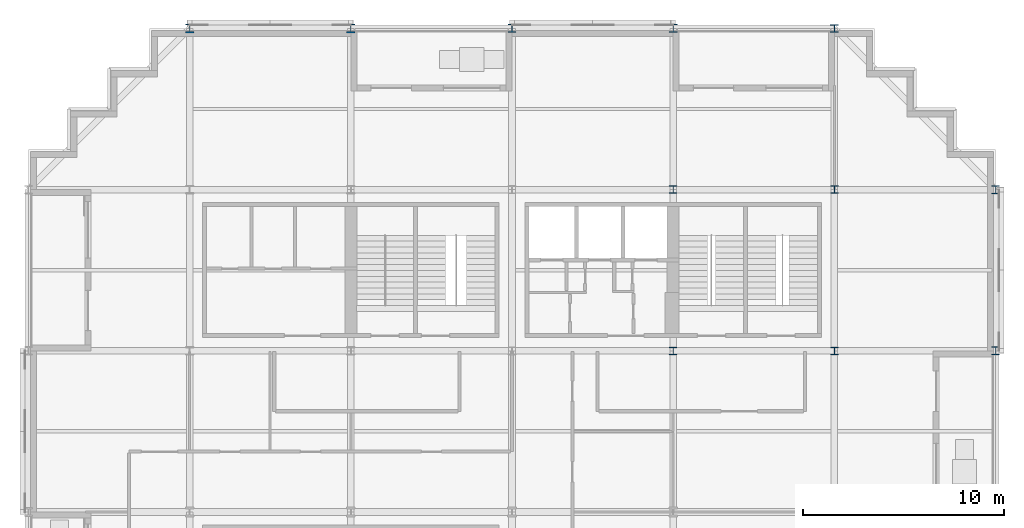
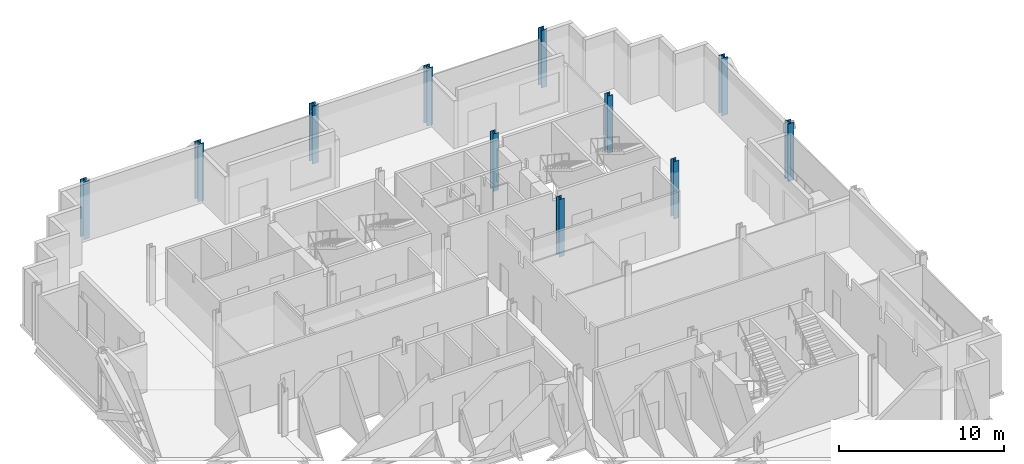
# One storey, part 2 of 14: 11 columns.
"""IFC4 building model written with IfcOpenShell, lengths in metres."""

from ifc_helpers import new_model, si_unit, direction, frame, origin, origin_2d, place, context, subcontext, project, spatial, i_section, extrude, material, material_profile, profile_set, type_object, element, save


model = new_model("IFC4")

# Units and contexts
model_context = context("Model", 3, precision=1e-05, world=origin(), true_north=direction((0.0, 1.0)))
body_context = subcontext(model_context, "Body", "Model", "MODEL_VIEW")
ifc_project = project(units=[si_unit("LENGTHUNIT", "METRE"), si_unit("AREAUNIT", "SQUARE_METRE"), si_unit("VOLUMEUNIT", "CUBIC_METRE"), si_unit("PLANEANGLEUNIT", "RADIAN"), si_unit("MASSUNIT", "GRAM", prefix="KILO")], contexts=[model_context])

# Site, building, storey
site_placement = place(None, origin())
site = spatial("IfcSite", under=ifc_project, at=site_placement, CompositionType="ELEMENT")
building_placement = place(site_placement, origin())
building = spatial("IfcBuilding", under=site, at=building_placement, Name="Immortelle Media Tower", CompositionType="ELEMENT")
storey_placement = place(building_placement, frame((0.0, 0.0, 48.0)))
storey = spatial("IfcBuildingStorey", under=building, at=storey_placement, Name="L07", CompositionType="ELEMENT", Elevation=48.0)

# Columns
ifc_material = material(Name="Steel ASTM A992 Gr 50", Category="steel")
ifc_material_profile_1 = material_profile(ifc_material, i_section(OverallWidth=0.373046875, OverallDepth=0.367919921875, WebThickness=0.014892578125, FlangeThickness=0.02392578125, at=origin_2d()), Name="W14x120")
ifc_profile_set_1 = profile_set([ifc_material_profile_1], Name="Steel ASTM A992 Gr 50")
column_type_1 = type_object("IfcColumnType", Name="W14x120 column", PredefinedType="COLUMN", material=ifc_profile_set_1)
for number, where, z_axis, x_axis, name in (
    (1, (32.0, 32.0, 0.0), (0.0, 0.0, 1.0), (1.0, 0.0, 0.0), "Column 5/E"),
    (2, (32.0, 40.0, 0.0), (0.0, 0.0, 1.0), (1.0, 0.0, 0.0), "Column 5/F"),
    (3, (40.0, 32.0, 0.0), (0.0, 0.0, 1.0), (1.0, 0.0, 0.0), "Column 6/E"),
    (4, (40.0, 40.0, 0.0), (0.0, 0.0, 1.0), (1.0, 0.0, 0.0), "Column 6/F"),
):
    element("IfcColumn", number, at=place(storey_placement, frame(where, z_axis=z_axis, x_axis=x_axis)), inside=storey, type_object=column_type_1, Name=name, PredefinedType="COLUMN", context=body_context, shape_type="SweptSolid", body=[
        extrude(i_section(OverallWidth=0.373046875, OverallDepth=0.367919921875, WebThickness=0.014892578125, FlangeThickness=0.02392578125, at=origin_2d()), origin(), (0.0, 0.0, 1.0), 4.25),
    ])
ifc_material_profile_2 = material_profile(ifc_material, i_section(OverallWidth=0.39892578125, OverallDepth=0.385986328125, WebThickness=0.02099609375, FlangeThickness=0.032958984375, at=origin_2d()), Name="W14x176")
ifc_profile_set_2 = profile_set([ifc_material_profile_2], Name="Steel ASTM A992 Gr 50")
column_type_2 = type_object("IfcColumnType", Name="W14x176 column", PredefinedType="COLUMN", material=ifc_profile_set_2)
column_placement = place(storey_placement, frame((40.0, 48.0, 0.0), z_axis=(0.0, 0.0, 1.0), x_axis=(1.0, 0.0, 0.0)))
element("IfcColumn", 5, at=column_placement, inside=storey, type_object=column_type_2, Name="Column 6/G", PredefinedType="COLUMN", context=body_context, shape_type="SweptSolid", body=[
    extrude(i_section(OverallWidth=0.39892578125, OverallDepth=0.385986328125, WebThickness=0.02099609375, FlangeThickness=0.032958984375, at=origin_2d()), origin(), (0.0, 0.0, 1.0), 4.25),
])
ifc_material_profile_3 = material_profile(ifc_material, i_section(OverallWidth=0.406005859375, OverallDepth=0.4169921875, WebThickness=0.030029296875, FlangeThickness=0.048095703125, at=origin_2d()), Name="W14x257")
ifc_profile_set_3 = profile_set([ifc_material_profile_3], Name="Steel ASTM A992 Gr 50")
column_type_3 = type_object("IfcColumnType", Name="W14x257 column", PredefinedType="COLUMN", material=ifc_profile_set_3)
for number, where, z_axis, x_axis, name in (
    (6, (24.0, 48.0, 0.0), (0.0, 0.0, 1.0), (1.0, 0.0, 0.0), "Column 4/G"),
    (7, (32.0, 48.0, 0.0), (0.0, 0.0, 1.0), (1.0, 0.0, 0.0), "Column 5/G"),
    (8, (48.0, 32.0, 0.0), (0.0, 0.0, 1.0), (1.0, 0.0, 0.0), "Column 7/E"),
    (9, (48.0, 40.0, 0.0), (0.0, 0.0, 1.0), (1.0, 0.0, 0.0), "Column 7/F"),
):
    element("IfcColumn", number, at=place(storey_placement, frame(where, z_axis=z_axis, x_axis=x_axis)), inside=storey, type_object=column_type_3, Name=name, PredefinedType="COLUMN", context=body_context, shape_type="SweptSolid", body=[
        extrude(i_section(OverallWidth=0.406005859375, OverallDepth=0.4169921875, WebThickness=0.030029296875, FlangeThickness=0.048095703125, at=origin_2d()), origin(), (0.0, 0.0, 1.0), 4.25),
    ])
ifc_material_profile_4 = material_profile(ifc_material, i_section(OverallWidth=0.410888671875, OverallDepth=0.43408203125, WebThickness=0.035888671875, FlangeThickness=0.056884765625, at=origin_2d()), Name="W14x311")
ifc_profile_set_4 = profile_set([ifc_material_profile_4], Name="Steel ASTM A992 Gr 50")
column_type_4 = type_object("IfcColumnType", Name="W14x311 column", PredefinedType="COLUMN", material=ifc_profile_set_4)
for number, where, z_axis, x_axis, name in (
    (10, (8.0, 48.0, 0.0), (0.0, 0.0, 1.0), (1.0, 0.0, 0.0), "Column 2/G"),
    (11, (16.0, 48.0, 0.0), (0.0, 0.0, 1.0), (1.0, 0.0, 0.0), "Column 3/G"),
):
    element("IfcColumn", number, at=place(storey_placement, frame(where, z_axis=z_axis, x_axis=x_axis)), inside=storey, type_object=column_type_4, Name=name, PredefinedType="COLUMN", context=body_context, shape_type="SweptSolid", body=[
        extrude(i_section(OverallWidth=0.410888671875, OverallDepth=0.43408203125, WebThickness=0.035888671875, FlangeThickness=0.056884765625, at=origin_2d()), origin(), (0.0, 0.0, 1.0), 4.25),
    ])

save(model, "model.ifc")
